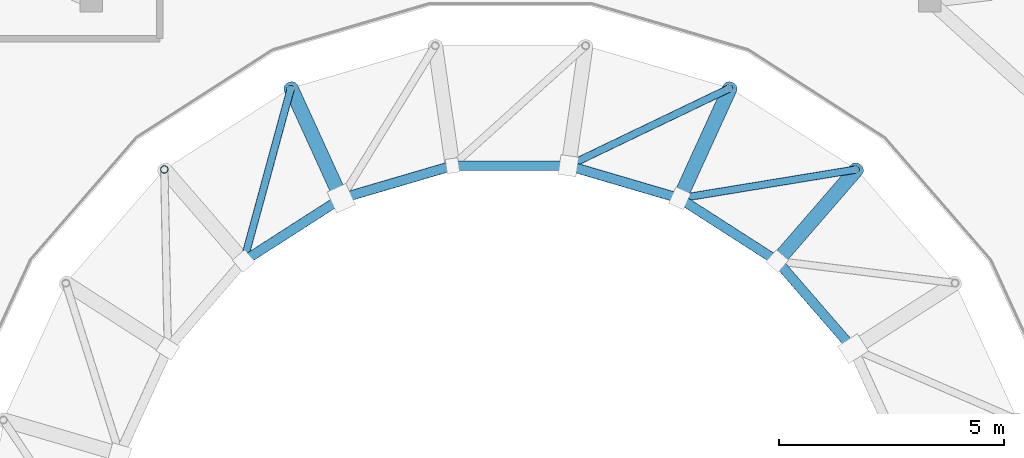
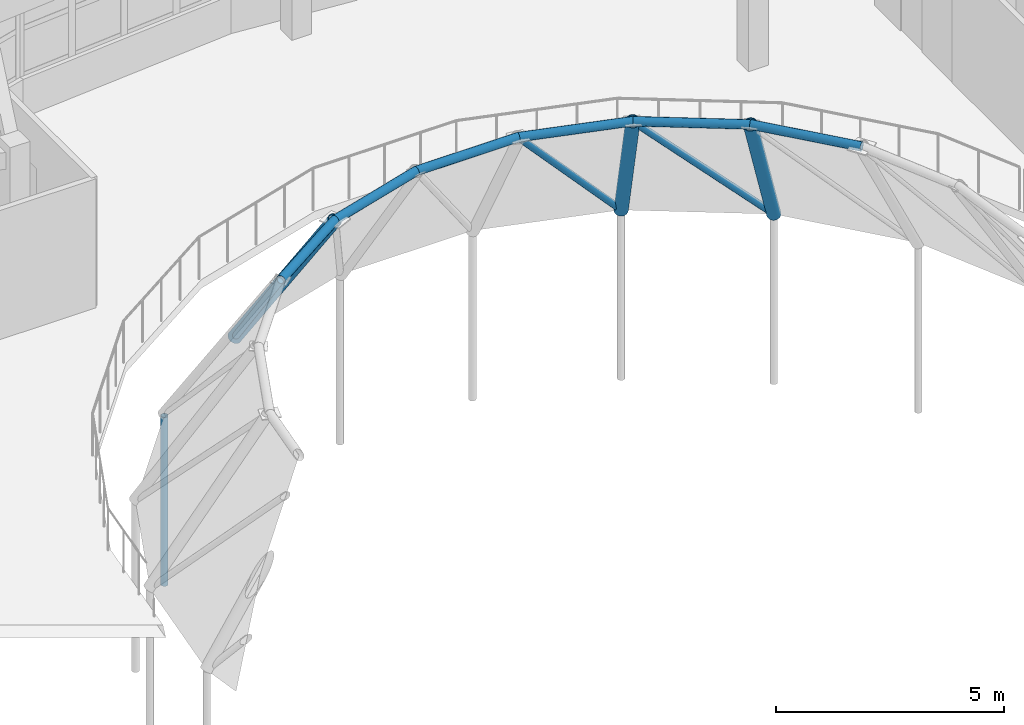
# One storey, part 13 of 38: 9 beams, 4 members.
"""IFC4 building model written with IfcOpenShell, lengths in metres."""

from ifc_helpers import new_model, si_unit, direction, frame, origin, origin_2d, place, context, subcontext, project, spatial, hollow_circle, extrude, material, material_profile, profile_set, type_object, element, save


model = new_model("IFC4")

# Units and contexts
model_context = context("Model", 3, precision=1e-05, world=origin(), true_north=direction((0.0, 1.0)))
body_context = subcontext(model_context, "Body", "Model", "MODEL_VIEW")
ifc_project = project(units=[si_unit("LENGTHUNIT", "METRE"), si_unit("AREAUNIT", "SQUARE_METRE"), si_unit("VOLUMEUNIT", "CUBIC_METRE"), si_unit("PLANEANGLEUNIT", "RADIAN"), si_unit("MASSUNIT", "GRAM", prefix="KILO")], contexts=[model_context])

# Site, building, storey
site_placement = place(None, origin())
site = spatial("IfcSite", under=ifc_project, at=site_placement, CompositionType="ELEMENT")
building_placement = place(site_placement, origin())
building = spatial("IfcBuilding", under=site, at=building_placement, Name="Pelvatis Terrace Science Centre", CompositionType="ELEMENT")
storey_placement = place(building_placement, frame((0.0, 0.0, 24.300048828125)))
storey = spatial("IfcBuildingStorey", under=building, at=storey_placement, Name="L05", CompositionType="ELEMENT", Elevation=24.300048828125)

# Beams
ifc_material_1 = material(Name="Structural steel S355", Category="steel")
ifc_material_profile_1 = material_profile(ifc_material_1, hollow_circle(Radius=0.161865234375, WallThickness=0.012451171875, at=origin_2d()), Name="CHS 323.9x12.5")
ifc_profile_set_1 = profile_set([ifc_material_profile_1], Name="Structural steel S355")
beam_type_1 = type_object("IfcBeamType", Name="BM-DOME-CHS324", PredefinedType="BEAM", material=ifc_profile_set_1)
for number, where, z_axis, x_axis, name in (
    (1, (116.9033203125, 94.68994140625, -1.1845703125), (-0.351867574956, -0.406049641809, 0.84339367918), (0.755727874833, -0.65488577569, 0.0), "Planetarium meridional dome rib 04.2"),
    (2, (114.086669921875, 96.5, -1.1845703125), (-0.223241608591, -0.488711549325, 0.843400382826), (0.909593645741, -0.415498976686, 0.0), "Planetarium meridional dome rib 05.2"),
):
    element("IfcBeam", number, at=place(storey_placement, frame(where, z_axis=z_axis, x_axis=x_axis)), inside=storey, type_object=beam_type_1, Name=name, PredefinedType="BEAM", context=body_context, shape_type="SweptSolid", body=[
        extrude(hollow_circle(Radius=0.161865234375, WallThickness=0.012451171875, at=origin_2d()), origin(), (0.0, 0.0, 1.0), 5.024169921875),
    ])
beam_1_placement = place(storey_placement, frame((104.3134765625, 96.5, -1.1845703125), z_axis=(0.22319543545, -0.488716850494, 0.843409531389), x_axis=(0.909627825859, 0.415424142803, 0.0)))
element("IfcBeam", 3, at=beam_1_placement, inside=storey, type_object=beam_type_1, Name="Planetarium meridional dome rib 08.2", PredefinedType="BEAM", context=body_context, shape_type="SweptSolid", body=[
    extrude(hollow_circle(Radius=0.161865234375, WallThickness=0.012451171875, at=origin_2d()), origin(), (0.0, 0.0, 1.0), 5.02392578125),
])
ifc_material_2 = material(Name="Structural steel S355", Category="steel")
ifc_material_profile_2 = material_profile(ifc_material_2, hollow_circle(Radius=0.109619140625, WallThickness=0.008056640625, at=origin_2d()), Name="CHS 219.1x8.0")
ifc_profile_set_2 = profile_set([ifc_material_profile_2], Name="Structural steel S355")
beam_type_2 = type_object("IfcBeamType", Name="BM-HOOP-CHS219", PredefinedType="BEAM", material=ifc_profile_set_2)
for number, where, z_axis, x_axis, name in (
    (4, (116.824951171875, 90.7001953125, 3.052734375), (-0.654865685453, 0.75574528382, 0.0), (-0.75574528382, -0.654865685453, 0.0), "Planetarium dome hoop ring 3.03"),
    (5, (115.135498046875, 92.64990234375, 3.052734375), (-0.841264554497, 0.540623667024, 0.0), (-0.540623667024, -0.841264554497, 0.0), "Planetarium dome hoop ring 3.04"),
):
    element("IfcBeam", number, at=place(storey_placement, frame(where, z_axis=z_axis, x_axis=x_axis)), inside=storey, type_object=beam_type_2, Name=name, PredefinedType="BEAM", context=body_context, shape_type="SweptSolid", body=[
        extrude(hollow_circle(Radius=0.109619140625, WallThickness=0.008056640625, at=origin_2d()), origin(), (0.0, 0.0, 1.0), 2.579833984375),
    ])
beam_2_placement = place(storey_placement, frame((112.965087890625, 94.044677734375, 3.052734375), z_axis=(-0.959487482765, 0.281751256283, 0.0), x_axis=(-0.281751256283, -0.959487482765, 0.0)))
element("IfcBeam", 6, at=beam_2_placement, inside=storey, type_object=beam_type_2, Name="Planetarium dome hoop ring 3.05", PredefinedType="BEAM", context=body_context, shape_type="SweptSolid", body=[
    extrude(hollow_circle(Radius=0.109619140625, WallThickness=0.008056640625, at=origin_2d()), origin(), (0.0, 0.0, 1.0), 2.57958984375),
])
for number, where, z_axis, x_axis, name in (
    (7, (110.489990234375, 94.771484375, 3.052734375), (-1.0, 0.0, 0.0), (0.0, -1.0, 0.0), "Planetarium dome hoop ring 3.06"),
    (8, (107.91015625, 94.771484375, 3.052734375), (-0.959494994835, -0.281725673106, 0.0), (0.281725673106, -0.959494994835, 0.0), "Planetarium dome hoop ring 3.07"),
    (9, (105.434814453125, 94.044677734375, 3.052734375), (-0.841236893184, -0.540666708376, 0.0), (0.540666708376, -0.841236893184, 0.0), "Planetarium dome hoop ring 3.08"),
):
    element("IfcBeam", number, at=place(storey_placement, frame(where, z_axis=z_axis, x_axis=x_axis)), inside=storey, type_object=beam_type_2, Name=name, PredefinedType="BEAM", context=body_context, shape_type="SweptSolid", body=[
        extrude(hollow_circle(Radius=0.109619140625, WallThickness=0.008056640625, at=origin_2d()), origin(), (0.0, 0.0, 1.0), 2.579833984375),
    ])

# Members
ifc_material_3 = material(Name="Structural steel S355", Category="steel")
ifc_material_profile_3 = material_profile(ifc_material_3, hollow_circle(Radius=0.084228515625, WallThickness=0.00634765625, at=origin_2d()), Name="CHS 168.3x6.3")
ifc_profile_set_3 = profile_set([ifc_material_profile_3], Name="Structural steel S355")
member_type_1 = type_object("IfcMemberType", Name="MEM-BRC-CHS168", PredefinedType="BRACE", material=ifc_profile_set_3)
member_1_placement = place(storey_placement, frame((116.9033203125, 94.68994140625, -1.1845703125), z_axis=(-0.676588440793, -0.110856316968, 0.727969064435), x_axis=(0.161690057918, -0.986841590718, 0.0)))
element("IfcMember", 10, at=member_1_placement, inside=storey, type_object=member_type_1, Name="Planetarium dome lateral brace 2.04", PredefinedType="BRACE", context=body_context, shape_type="SweptSolid", body=[
    extrude(hollow_circle(Radius=0.084228515625, WallThickness=0.00634765625, at=origin_2d()), origin(), (0.0, 0.0, 1.0), 5.82080078125),
])
for number, where, z_axis, x_axis, name in (
    (11, (114.086669921875, 96.5, -1.1845703125), (-0.617929449168, -0.296968537884, 0.727992364904), (0.433160637119, -0.90131673814, 0.0), "Planetarium dome lateral brace 2.05"),
    (12, (104.3134765625, 96.5, -1.1845703125), (-0.180196007617, -0.661473705802, 0.727998581985), (0.964840022911, -0.262837840103, 0.0), "Planetarium dome lateral brace 2.08"),
):
    element("IfcMember", number, at=place(storey_placement, frame(where, z_axis=z_axis, x_axis=x_axis)), inside=storey, type_object=member_type_1, Name=name, PredefinedType="BRACE", context=body_context, shape_type="SweptSolid", body=[
        extrude(hollow_circle(Radius=0.084228515625, WallThickness=0.00634765625, at=origin_2d()), origin(), (0.0, 0.0, 1.0), 5.820556640625),
    ])
ifc_material_4 = material(Name="Structural steel S355", Category="steel")
ifc_material_profile_4 = material_profile(ifc_material_4, hollow_circle(Radius=0.084228515625, WallThickness=0.00634765625, at=origin_2d()), Name="CHS 168.3x6.3")
ifc_profile_set_4 = profile_set([ifc_material_profile_4], Name="Structural steel S355")
member_type_2 = type_object("IfcMemberType", Name="MEM-STR-CHS168", PredefinedType="STRUT", material=ifc_profile_set_4)
member_2_placement = place(storey_placement, frame((101.496826171875, 94.68994140625, -5.699951171875), z_axis=(0.0, 0.0, 1.0), x_axis=(1.0, 0.0, 0.0)))
element("IfcMember", 13, at=member_2_placement, inside=storey, type_object=member_type_2, Name="Dome arch vertical web post 1.09", PredefinedType="STRUT", context=body_context, shape_type="SweptSolid", body=[
    extrude(hollow_circle(Radius=0.084228515625, WallThickness=0.00634765625, at=origin_2d()), origin(), (0.0, 0.0, 1.0), 4.515380859375),
])

save(model, "model.ifc")
